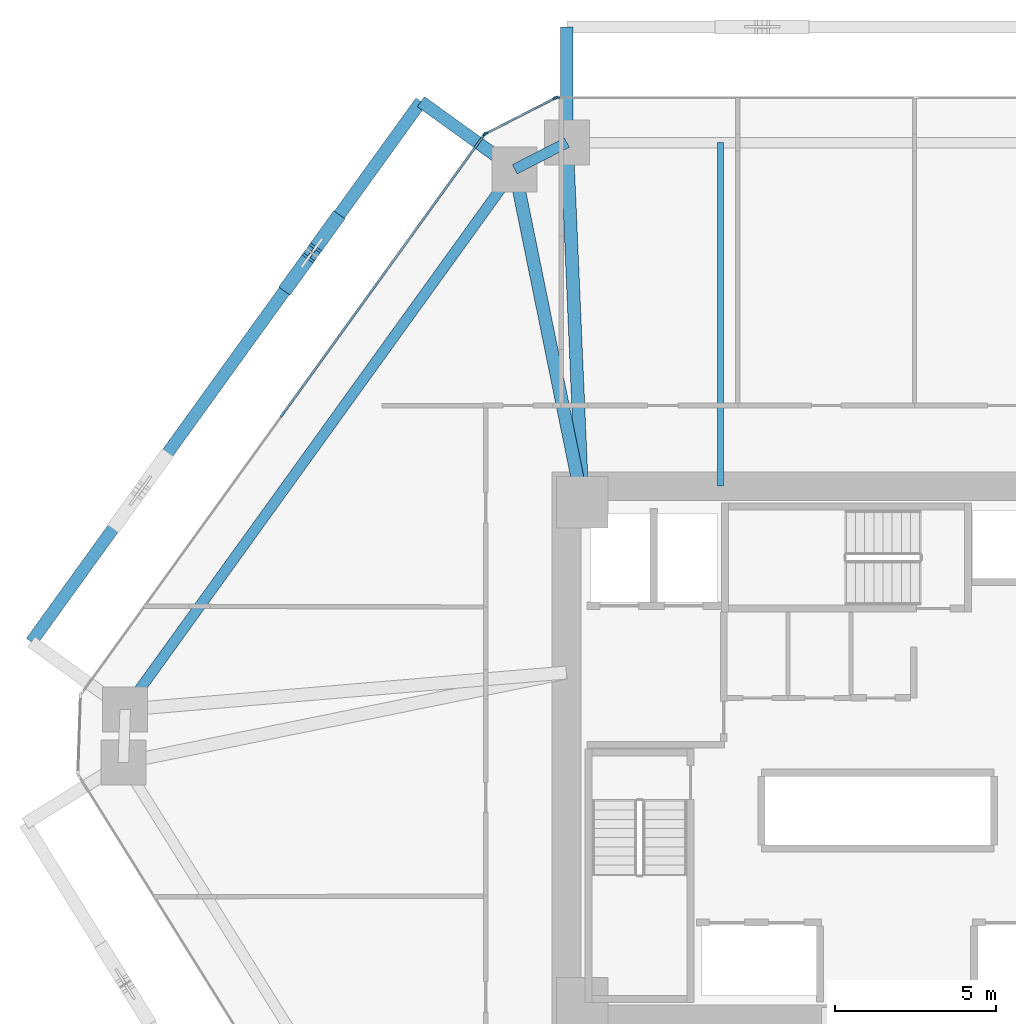
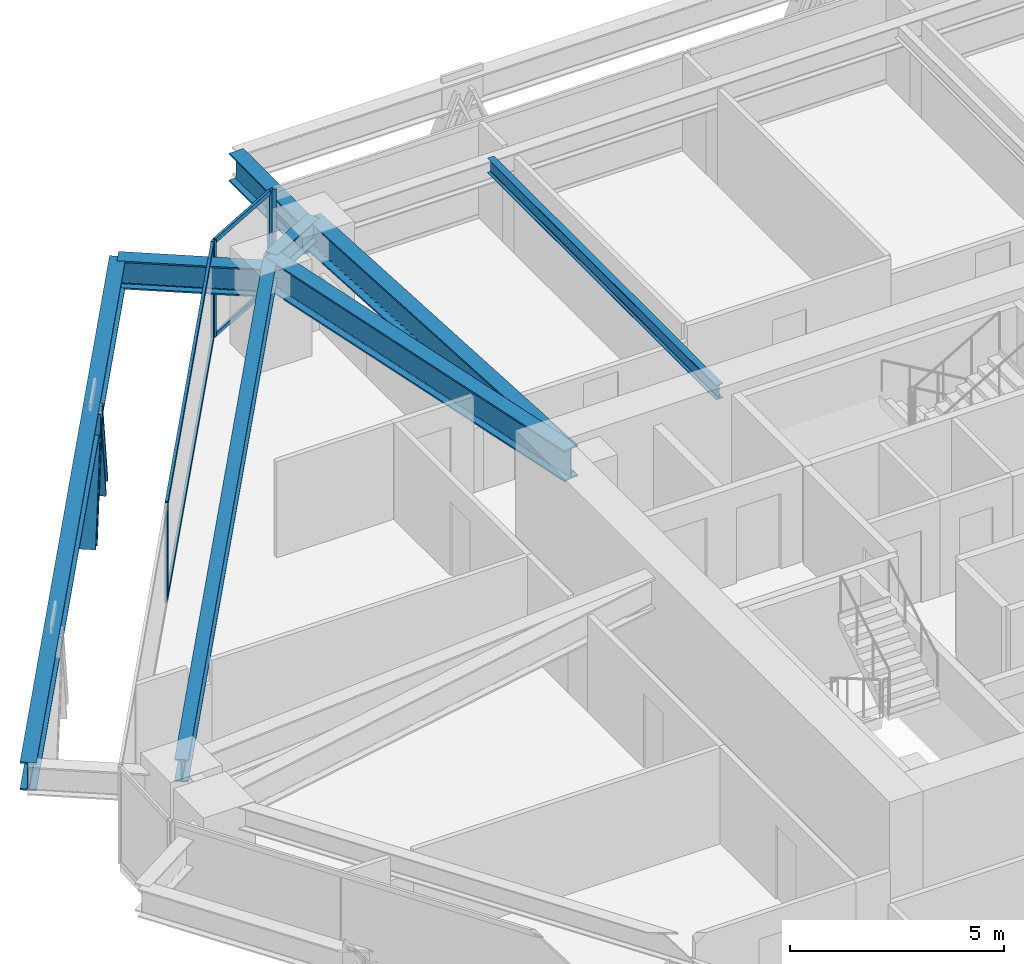
# One storey, part 7 of 18: 11 members, 8 beams, 3 elements without a shape of their own.
"""IFC4 building model written with IfcOpenShell, lengths in metres."""

from ifc_helpers import new_model, si_unit, direction, frame, origin, origin_2d, place, context, subcontext, project, spatial, rectangle, i_section, extrude, source, transform, mapped, material, layer, layer_set, material_profile, profile_set, type_object, type_shapes, element, aggregate, save


model = new_model("IFC4")

# Units and contexts
model_context = context("Model", 3, precision=1e-05, world=origin(), true_north=direction((0.0, 1.0)))
body_context = subcontext(model_context, "Body", "Model", "MODEL_VIEW")
ifc_project = project(units=[si_unit("LENGTHUNIT", "METRE"), si_unit("AREAUNIT", "SQUARE_METRE"), si_unit("VOLUMEUNIT", "CUBIC_METRE"), si_unit("PLANEANGLEUNIT", "RADIAN"), si_unit("MASSUNIT", "GRAM", prefix="KILO")], contexts=[model_context])

# Site, building, storey
site_placement = place(None, origin())
site = spatial("IfcSite", under=ifc_project, at=site_placement, CompositionType="ELEMENT")
building_placement = place(site_placement, origin())
building = spatial("IfcBuilding", under=site, at=building_placement, Name="Durnholm Broadcast Tower", CompositionType="ELEMENT")
storey_placement = place(building_placement, frame((0.0, 0.0, 78.300048828125)))
storey = spatial("IfcBuildingStorey", under=building, at=storey_placement, Name="L20", CompositionType="ELEMENT", Elevation=78.300048828125)

# Beams
ifc_material_1 = material(Name="Steel ASTM A992 Grade 50", Category="steel")
ifc_material_profile_1 = material_profile(ifc_material_1, i_section(OverallWidth=0.3291015625, OverallDepth=0.635009765625, WebThickness=0.017822265625, FlangeThickness=0.031005859375, FilletRadius=0.02783203125, at=origin_2d()), Name="W24X162")
ifc_profile_set_1 = profile_set([ifc_material_profile_1], Name="Steel ASTM A992 Grade 50")
beam_type_1 = type_object("IfcBeamType", Name="STL-SP-W24X162", PredefinedType="SPANDREL", material=ifc_profile_set_1)
shared_shape_1 = source(origin(), body_context, "Body", "SweptSolid", [
    extrude(i_section(OverallWidth=0.3291015625, OverallDepth=0.635009765625, WebThickness=0.017822265625, FlangeThickness=0.031005859375, FilletRadius=0.02783203125, at=origin_2d()), origin(), (0.0, 0.0, 1.0), 20.737060546875),
])
beam_1_placement = place(storey_placement, frame((-24.034912109375, 1.347412109375, 2.427490234375), z_axis=(0.584821933191, 0.811161701795, 0.0), x_axis=(-0.811161701795, 0.584821933191, 0.0)))
element("IfcBeam", 1, at=beam_1_placement, inside=storey, type_object=beam_type_1, Name="L20 perimeter spandrel girder 03", PredefinedType="SPANDREL", context=body_context, shape_type="MappedRepresentation", body=[
    mapped(shared_shape_1, transform((0.0, 0.0, 0.0), x_axis=(1.0, 0.0, 0.0), y_axis=(0.0, 1.0, 0.0), z_axis=(0.0, 0.0, 1.0), scale=1.0)),
])
shared_shape_2 = source(origin(), body_context, "Body", "SweptSolid", [
    extrude(i_section(OverallWidth=0.3291015625, OverallDepth=0.635009765625, WebThickness=0.017822265625, FlangeThickness=0.031005859375, FilletRadius=0.02783203125, at=origin_2d()), origin(), (0.0, 0.0, 1.0), 1.8251953125),
])
type_shapes(beam_type_1, [shared_shape_1, shared_shape_2])
beam_2_placement = place(storey_placement, frame((-11.907470703125, 18.16845703125, 2.427490234375), z_axis=(0.890187609501, 0.455594139438, 0.0), x_axis=(-0.455594139438, 0.890187609501, 0.0)))
element("IfcBeam", 2, at=beam_2_placement, inside=storey, type_object=beam_type_1, Name="L20 perimeter spandrel girder 04", PredefinedType="SPANDREL", context=body_context, shape_type="MappedRepresentation", body=[
    mapped(shared_shape_2, transform((0.0, 0.0, 0.0), x_axis=(1.0, 0.0, 0.0), y_axis=(0.0, 1.0, 0.0), z_axis=(0.0, 0.0, 1.0), scale=1.0)),
])
ifc_material_profile_2 = material_profile(ifc_material_1, i_section(OverallWidth=0.404052734375, OverallDepth=0.885009765625, WebThickness=0.0244140625, FlangeThickness=0.0439453125, FilletRadius=0.03564453125, at=origin_2d()), Name="W33X291")
ifc_profile_set_2 = profile_set([ifc_material_profile_2], Name="Steel ASTM A992 Grade 50")
beam_type_2 = type_object("IfcBeamType", Name="STL-GR-W33X291", PredefinedType="USERDEFINED", material=ifc_profile_set_2)
shared_shape_3 = source(origin(), body_context, "Body", "SweptSolid", [
    extrude(i_section(OverallWidth=0.404052734375, OverallDepth=0.885009765625, WebThickness=0.0244140625, FlangeThickness=0.0439453125, FilletRadius=0.03564453125, at=origin_2d()), origin(), (0.0, 0.0, 1.0), 10.580322265625),
])
beam_3_placement = place(storey_placement, frame((-9.800048828125, 7.800048828125, 2.302490234375), z_axis=(-0.199181458925, 0.979962625012, 0.0), x_axis=(-0.979962625012, -0.199181458925, 0.0)))
element("IfcBeam", 3, at=beam_3_placement, inside=storey, type_object=beam_type_2, Name="L20 radial primary floor girder 04", ObjectType="GIRDER", PredefinedType="USERDEFINED", context=body_context, shape_type="MappedRepresentation", body=[
    mapped(shared_shape_3, transform((0.0, 0.0, 0.0), x_axis=(1.0, 0.0, 0.0), y_axis=(0.0, 1.0, 0.0), z_axis=(0.0, 0.0, 1.0), scale=1.0)),
])
shared_shape_4 = source(origin(), body_context, "Body", "SweptSolid", [
    extrude(i_section(OverallWidth=0.404052734375, OverallDepth=0.885009765625, WebThickness=0.0244140625, FlangeThickness=0.0439453125, FilletRadius=0.03564453125, at=origin_2d()), origin(), (0.0, 0.0, 1.0), 11.21044921875),
])
type_shapes(beam_type_2, [shared_shape_3, shared_shape_4])
beam_4_placement = place(storey_placement, frame((-9.800048828125, 7.800048828125, 2.302490234375), z_axis=(-0.043055404914, 0.999072686098, 0.0), x_axis=(-0.999072686098, -0.043055404914, 0.0)))
element("IfcBeam", 4, at=beam_4_placement, inside=storey, type_object=beam_type_2, Name="L20 radial primary floor girder 05", ObjectType="GIRDER", PredefinedType="USERDEFINED", context=body_context, shape_type="MappedRepresentation", body=[
    mapped(shared_shape_4, transform((0.0, 0.0, 0.0), x_axis=(1.0, 0.0, 0.0), y_axis=(0.0, 1.0, 0.0), z_axis=(0.0, 0.0, 1.0), scale=1.0)),
])
ifc_material_profile_3 = material_profile(ifc_material_1, i_section(OverallWidth=0.180908203125, OverallDepth=0.417236328125, WebThickness=0.010986328125, FlangeThickness=0.018310546875, FilletRadius=0.01904296875, at=origin_2d()), Name="W16X57")
ifc_profile_set_3 = profile_set([ifc_material_profile_3], Name="Steel ASTM A992 Grade 50")
beam_type_3 = type_object("IfcBeamType", Name="STL-BJ-W16X57", PredefinedType="JOIST", material=ifc_profile_set_3)
shared_shape_5 = source(origin(), body_context, "Body", "SweptSolid", [
    extrude(i_section(OverallWidth=0.180908203125, OverallDepth=0.417236328125, WebThickness=0.010986328125, FlangeThickness=0.018310546875, FilletRadius=0.01904296875, at=origin_2d()), origin(), (0.0, 0.0, 1.0), 10.699951171875),
])
type_shapes(beam_type_3, [shared_shape_5])
beam_5_placement = place(storey_placement, frame((-5.5, 8.300048828125, 2.5361328125), z_axis=(0.0, 1.0, 0.0), x_axis=(-1.0, 0.0, 0.0)))
element("IfcBeam", 5, at=beam_5_placement, inside=storey, type_object=beam_type_3, Name="L20 secondary floor joist 3.2", PredefinedType="JOIST", context=body_context, shape_type="MappedRepresentation", body=[
    mapped(shared_shape_5, transform((0.0, 0.0, 0.0), x_axis=(1.0, 0.0, 0.0), y_axis=(0.0, 1.0, 0.0), z_axis=(0.0, 0.0, 1.0), scale=1.0)),
])
ifc_material_profile_4 = material_profile(ifc_material_1, i_section(OverallWidth=0.385009765625, OverallDepth=0.802978515625, WebThickness=0.023681640625, FlangeThickness=0.0419921875, FilletRadius=0.032958984375, at=origin_2d()), Name="W30X261")
ifc_profile_set_4 = profile_set([ifc_material_profile_4], Name="Steel ASTM A992 Grade 50")
beam_type_4 = type_object("IfcBeamType", Name="BM-EXO-TIE", PredefinedType="USERDEFINED", material=ifc_profile_set_4)
shared_shape_6 = source(origin(), body_context, "Body", "SweptSolid", [
    extrude(i_section(OverallWidth=0.385009765625, OverallDepth=0.802978515625, WebThickness=0.023681640625, FlangeThickness=0.0419921875, FilletRadius=0.032958984375, at=origin_2d()), origin(), (0.0, 0.0, 1.0), 3.4560546875),
])
for number, where, z_axis, x_axis, name in (
    (6, (-10.28271484375, 19.14404296875, 2.008544921875), (0.0, 1.0, 0.0), (-1.0, 0.0, 0.0), "L20 exoskeleton stand-off tie bracket F4.2"),
    (7, (-12.024169921875, 18.252685546875, 2.008544921875), (-0.811157675106, 0.584827518262, 0.0), (-0.584827518262, -0.811157675106, 0.0), "L20 exoskeleton stand-off tie bracket F5.1"),
):
    element("IfcBeam", number, at=place(storey_placement, frame(where, z_axis=z_axis, x_axis=x_axis)), inside=storey, type_object=beam_type_4, Name=name, ObjectType="GIRDER", PredefinedType="USERDEFINED", context=body_context, shape_type="MappedRepresentation", body=[
        mapped(shared_shape_6, transform((0.0, 0.0, 0.0), x_axis=(1.0, 0.0, 0.0), y_axis=(0.0, 1.0, 0.0), z_axis=(0.0, 0.0, 1.0), scale=1.0)),
    ])
shared_shape_7 = source(origin(), body_context, "Body", "SweptSolid", [
    extrude(i_section(OverallWidth=0.385009765625, OverallDepth=0.802978515625, WebThickness=0.023681640625, FlangeThickness=0.0419921875, FilletRadius=0.032958984375, at=origin_2d()), origin(), (0.0, 0.0, 1.0), 20.737060546875),
])
type_shapes(beam_type_4, [shared_shape_6, shared_shape_7])
beam_6_placement = place(storey_placement, frame((-14.82763671875, 20.27392578125, 2.008544921875), z_axis=(-0.5848163482, -0.811165728368, 0.0), x_axis=(0.811165728368, -0.5848163482, 0.0)))
element("IfcBeam", 8, at=beam_6_placement, inside=storey, type_object=beam_type_4, Name="L20 exoskeleton collector spandrel F5", PredefinedType="SPANDREL", context=body_context, shape_type="MappedRepresentation", body=[
    mapped(shared_shape_7, transform((0.0, 0.0, 0.0), x_axis=(1.0, 0.0, 0.0), y_axis=(0.0, 1.0, 0.0), z_axis=(0.0, 0.0, 1.0), scale=1.0)),
])

# Members
ifc_material_2 = material(Name="Steel ASTM A913 Grade 65", Category="steel")
ifc_material_profile_5 = material_profile(ifc_material_2, i_section(OverallWidth=0.43212890625, OverallDepth=0.497802734375, WebThickness=0.0556640625, FlangeThickness=0.0888671875, FilletRadius=0.030517578125, at=origin_2d()), Name="W14X500")
ifc_profile_set_5 = profile_set([ifc_material_profile_5], Name="Steel ASTM A913 Grade 65")
member_type_1 = type_object("IfcMemberType", Name="STL-DG-W14X500", PredefinedType="BRACE", material=ifc_profile_set_5)
shared_shape_8 = source(origin(), body_context, "Body", "SweptSolid", [
    extrude(i_section(OverallWidth=0.43212890625, OverallDepth=0.497802734375, WebThickness=0.0556640625, FlangeThickness=0.0888671875, FilletRadius=0.030517578125, at=origin_2d()), origin(), (0.0, 0.0, 1.0), 3.243896484375),
])
member_1_placement = place(storey_placement, frame((-17.501708984375, 16.564697265625, -0.991455078125), z_axis=(-0.222479198439, -0.308505492017, 0.924839103659), x_axis=(0.81109123444, -0.58491966065, 0.0)))
element("IfcMember", 9, at=member_1_placement, inside=storey, type_object=member_type_1, Name="L20 stand-off diagrid brace F5.D1.1", PredefinedType="BRACE", context=body_context, shape_type="MappedRepresentation", body=[
    mapped(shared_shape_8, transform((0.0, 0.0, 0.0), x_axis=(1.0, 0.0, 0.0), y_axis=(0.0, 1.0, 0.0), z_axis=(0.0, 0.0, 1.0), scale=1.0)),
])
shared_shape_9 = source(origin(), body_context, "Body", "SweptSolid", [
    extrude(i_section(OverallWidth=0.43212890625, OverallDepth=0.497802734375, WebThickness=0.0556640625, FlangeThickness=0.0888671875, FilletRadius=0.030517578125, at=origin_2d()), origin(), (0.0, 0.0, 1.0), 3.24365234375),
])
type_shapes(member_type_1, [shared_shape_8, shared_shape_9])
member_2_placement = place(storey_placement, frame((-18.94482421875, 14.563232421875, -0.991455078125), z_axis=(0.222407658365, 0.308510657069, 0.924854587476), x_axis=(-0.811185111535, 0.584789461963, 0.0)))
element("IfcMember", 10, at=member_2_placement, inside=storey, type_object=member_type_1, Name="L20 stand-off diagrid brace F5.D1.2", PredefinedType="BRACE", context=body_context, shape_type="MappedRepresentation", body=[
    mapped(shared_shape_9, transform((0.0, 0.0, 0.0), x_axis=(1.0, 0.0, 0.0), y_axis=(0.0, 1.0, 0.0), z_axis=(0.0, 0.0, 1.0), scale=1.0)),
])

# Curtain wall, members
ifc_material_3 = material(Name="Aluminium and Solar Control IGU", Category="aluminium")
ifc_layer_1 = layer(ifc_material_3, 0.1650390625)
ifc_layer_set_1 = layer_set([ifc_layer_1], Name="Aluminium and Solar Control IGU")
curtain_wall_type_1 = type_object("IfcCurtainWallType", Name="CW-SYS-5", PredefinedType="NOTDEFINED", material=ifc_layer_set_1)
curtain_wall_1_placement = place(storey_placement, origin())
curtain_wall_1 = element("IfcCurtainWall", 11, at=curtain_wall_1_placement, inside=storey, type_object=curtain_wall_type_1, Name="L20 curtain wall CW-CORNER CW-L20-CRN-03", PredefinedType="NOTDEFINED")
ifc_material_4 = material(Name="Aluminium 6063-T6", Category="aluminium")
ifc_material_profile_6 = material_profile(ifc_material_4, rectangle(XDim=0.06494140625, YDim=0.1298828125, at=origin_2d()), Name="CWT65X130")
ifc_profile_set_6 = profile_set([ifc_material_profile_6], Name="Aluminium 6063-T6")
member_type_2 = type_object("IfcMemberType", Name="CW-SYS-5-TRN", PredefinedType="USERDEFINED", material=ifc_profile_set_6)
shared_shape_10 = source(origin(), body_context, "Body", "SweptSolid", [
    extrude(rectangle(XDim=0.06494140625, YDim=0.1298828125, at=origin_2d()), origin(), (0.0, 0.0, 1.0), 2.3701171875),
])
type_shapes(member_type_2, [shared_shape_10])
member_3_placement = place(storey_placement, frame((-12.787841796875, 19.29052734375, 0.032470703125), z_axis=(0.890185016934, 0.455599205033, 0.0), x_axis=(-0.455599205033, 0.890185016934, 0.0)))
member_3 = element("IfcMember", 12, at=member_3_placement, type_object=member_type_2, Name="CW-CORNER transom 1.1", ObjectType="TRANSOM", PredefinedType="USERDEFINED", context=body_context, shape_type="MappedRepresentation", body=[
    mapped(shared_shape_10, transform((0.0, 0.0, 0.0), x_axis=(1.0, 0.0, 0.0), y_axis=(0.0, 1.0, 0.0), z_axis=(0.0, 0.0, 1.0), scale=1.0)),
])
member_4_placement = place(storey_placement, frame((-12.787841796875, 19.29052734375, 2.7275390625), z_axis=(0.890185016934, 0.455599205033, 0.0), x_axis=(-0.455599205033, 0.890185016934, 0.0)))
member_4 = element("IfcMember", 13, at=member_4_placement, type_object=member_type_2, Name="CW-CORNER transom 1.2", ObjectType="TRANSOM", PredefinedType="USERDEFINED", context=body_context, shape_type="MappedRepresentation", body=[
    mapped(shared_shape_10, transform((0.0, 0.0, 0.0), x_axis=(1.0, 0.0, 0.0), y_axis=(0.0, 1.0, 0.0), z_axis=(0.0, 0.0, 1.0), scale=1.0)),
])

ifc_layer_2 = layer(ifc_material_3, 0.18994140625)
ifc_layer_set_2 = layer_set([ifc_layer_2], Name="Aluminium and Solar Control IGU")
curtain_wall_type_2 = type_object("IfcCurtainWallType", Name="CW-SYS-3", PredefinedType="NOTDEFINED", material=ifc_layer_set_2)
curtain_wall_2_placement = place(storey_placement, origin())
curtain_wall_2 = element("IfcCurtainWall", 14, at=curtain_wall_2_placement, inside=storey, type_object=curtain_wall_type_2, Name="L20 curtain wall CW-Z12-VIS CW-L20-F02", PredefinedType="NOTDEFINED")
ifc_material_profile_7 = material_profile(ifc_material_4, rectangle(XDim=0.070068359375, YDim=0.14990234375, at=origin_2d()), Name="CWT70X150")
ifc_profile_set_7 = profile_set([ifc_material_profile_7], Name="Aluminium 6063-T6")
member_type_3 = type_object("IfcMemberType", Name="CW-SYS-3-TRN", PredefinedType="USERDEFINED", material=ifc_profile_set_7)
shared_shape_11 = source(origin(), body_context, "Body", "SweptSolid", [
    extrude(rectangle(XDim=0.070068359375, YDim=0.14990234375, at=origin_2d()), origin(), (0.0, 0.0, 1.0), 10.645263671875),
])
type_shapes(member_type_3, [shared_shape_11])
member_5_placement = place(storey_placement, frame((-19.1123046875, 10.569091796875, 0.034912109375), z_axis=(0.584822983179, 0.811160944786, 0.0), x_axis=(-0.811160944786, 0.584822983179, 0.0)))
member_5 = element("IfcMember", 15, at=member_5_placement, type_object=member_type_3, Name="CW-Z12-VIS transom 2.1", ObjectType="TRANSOM", PredefinedType="USERDEFINED", context=body_context, shape_type="MappedRepresentation", body=[
    mapped(shared_shape_11, transform((0.0, 0.0, 0.0), x_axis=(1.0, 0.0, 0.0), y_axis=(0.0, 1.0, 0.0), z_axis=(0.0, 0.0, 1.0), scale=1.0)),
])
member_6_placement = place(storey_placement, frame((-19.1123046875, 10.569091796875, 2.724853515625), z_axis=(0.584822983179, 0.811160944786, 0.0), x_axis=(-0.811160944786, 0.584822983179, 0.0)))
member_6 = element("IfcMember", 16, at=member_6_placement, type_object=member_type_3, Name="CW-Z12-VIS transom 2.2", ObjectType="TRANSOM", PredefinedType="USERDEFINED", context=body_context, shape_type="MappedRepresentation", body=[
    mapped(shared_shape_11, transform((0.0, 0.0, 0.0), x_axis=(1.0, 0.0, 0.0), y_axis=(0.0, 1.0, 0.0), z_axis=(0.0, 0.0, 1.0), scale=1.0)),
])

# Member
ifc_material_profile_8 = material_profile(ifc_material_4, rectangle(XDim=0.06494140625, YDim=0.1650390625, at=origin_2d()), Name="CWM65X165")
ifc_profile_set_8 = profile_set([ifc_material_profile_8], Name="Aluminium 6063-T6")
member_type_4 = type_object("IfcMemberType", Name="CW-SYS-5-MUL", PredefinedType="MULLION", material=ifc_profile_set_8)
shared_shape_12 = source(origin(), body_context, "Body", "SweptSolid", [
    extrude(rectangle(XDim=0.06494140625, YDim=0.1650390625, at=origin_2d()), origin(), (0.0, 0.0, 1.0), 2.760009765625),
])
type_shapes(member_type_4, [shared_shape_12])
member_7_placement = place(storey_placement, frame((-12.816650390625, 19.27587890625, 0.0), z_axis=(0.0, 0.0, 1.0), x_axis=(-0.455593758406, 0.890187804512, 0.0)))
member_7 = element("IfcMember", 17, at=member_7_placement, type_object=member_type_4, Name="CW-CORNER mullion 1", PredefinedType="MULLION", context=body_context, shape_type="MappedRepresentation", body=[
    mapped(shared_shape_12, transform((0.0, 0.0, 0.0), x_axis=(1.0, 0.0, 0.0), y_axis=(0.0, 1.0, 0.0), z_axis=(0.0, 0.0, 1.0), scale=1.0)),
])

member_8_placement = place(storey_placement, frame((-10.649169921875, 20.38525390625, 0.0), z_axis=(0.0, 0.0, 1.0), x_axis=(-0.455593758406, 0.890187804512, 0.0)))
member_8 = element("IfcMember", 18, at=member_8_placement, type_object=member_type_4, Name="CW-CORNER mullion 2", PredefinedType="MULLION", context=body_context, shape_type="MappedRepresentation", body=[
    mapped(shared_shape_12, transform((0.0, 0.0, 0.0), x_axis=(1.0, 0.0, 0.0), y_axis=(0.0, 1.0, 0.0), z_axis=(0.0, 0.0, 1.0), scale=1.0)),
])

aggregate(curtain_wall_1, [member_7, member_8, member_3, member_4])

ifc_material_profile_9 = material_profile(ifc_material_4, rectangle(XDim=0.070068359375, YDim=0.18994140625, at=origin_2d()), Name="CWM70X190")
ifc_profile_set_9 = profile_set([ifc_material_profile_9], Name="Aluminium 6063-T6")
member_type_5 = type_object("IfcMemberType", Name="CW-SYS-3-MUL", PredefinedType="MULLION", material=ifc_profile_set_9)
shared_shape_13 = source(origin(), body_context, "Body", "SweptSolid", [
    extrude(rectangle(XDim=0.070068359375, YDim=0.18994140625, at=origin_2d()), origin(), (0.0, 0.0, 1.0), 2.760009765625),
])
type_shapes(member_type_5, [shared_shape_13])
member_9_placement = place(storey_placement, frame((-19.1328125, 10.540771484375, 0.0), z_axis=(0.0, 0.0, 1.0), x_axis=(-0.81116057493, 0.584823496176, 0.0)))
member_9 = element("IfcMember", 19, at=member_9_placement, type_object=member_type_5, Name="CW-Z12-VIS mullion 2", PredefinedType="MULLION", context=body_context, shape_type="MappedRepresentation", body=[
    mapped(shared_shape_13, transform((0.0, 0.0, 0.0), x_axis=(1.0, 0.0, 0.0), y_axis=(0.0, 1.0, 0.0), z_axis=(0.0, 0.0, 1.0), scale=1.0)),
])

member_10_placement = place(storey_placement, frame((-12.8662109375, 19.232666015625, 0.0), z_axis=(0.0, 0.0, 1.0), x_axis=(-0.81116057493, 0.584823496176, 0.0)))
member_10 = element("IfcMember", 20, at=member_10_placement, type_object=member_type_5, Name="CW-Z12-VIS mullion 3", PredefinedType="MULLION", context=body_context, shape_type="MappedRepresentation", body=[
    mapped(shared_shape_13, transform((0.0, 0.0, 0.0), x_axis=(1.0, 0.0, 0.0), y_axis=(0.0, 1.0, 0.0), z_axis=(0.0, 0.0, 1.0), scale=1.0)),
])

aggregate(curtain_wall_2, [member_9, member_10, member_5, member_6])

# Curtain wall, member
curtain_wall_3_placement = place(storey_placement, origin())
curtain_wall_3 = element("IfcCurtainWall", 21, at=curtain_wall_3_placement, inside=storey, type_object=curtain_wall_type_2, Name="L20 curtain wall CW-Z12-VIS CW-L20-F04", PredefinedType="NOTDEFINED")
member_11_placement = place(storey_placement, frame((-10.585205078125, 20.39990234375, 0.0), z_axis=(0.0, 0.0, 1.0), x_axis=(0.0, 1.0, 0.0)))
member_11 = element("IfcMember", 22, at=member_11_placement, type_object=member_type_5, Name="CW-Z12-VIS mullion 1", PredefinedType="MULLION", context=body_context, shape_type="MappedRepresentation", body=[
    mapped(shared_shape_13, transform((0.0, 0.0, 0.0), x_axis=(1.0, 0.0, 0.0), y_axis=(0.0, 1.0, 0.0), z_axis=(0.0, 0.0, 1.0), scale=1.0)),
])
aggregate(curtain_wall_3, [member_11])

save(model, "model.ifc")
